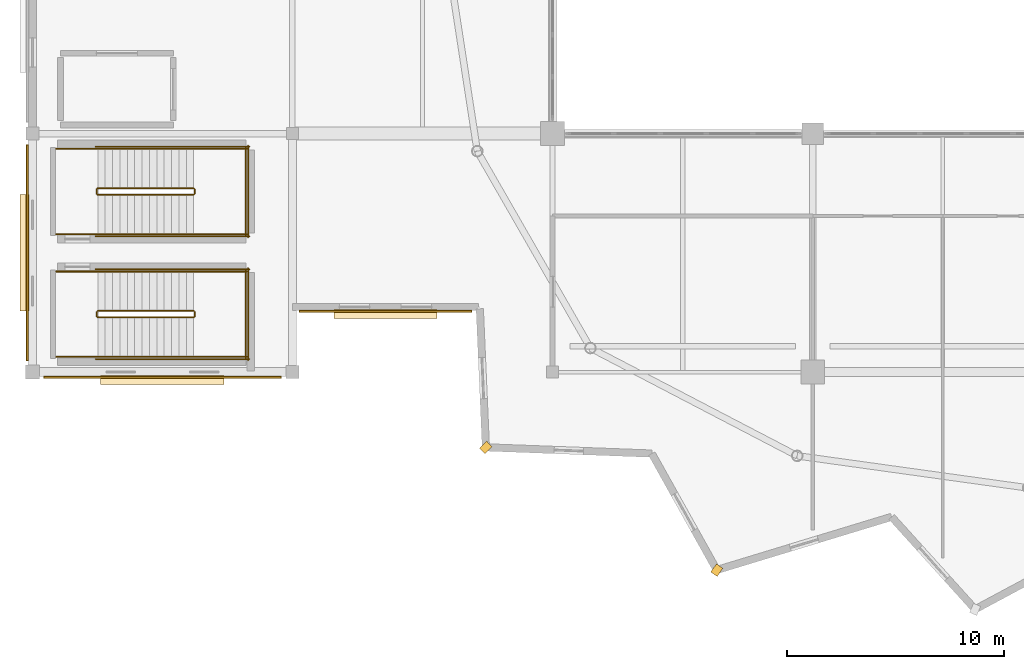
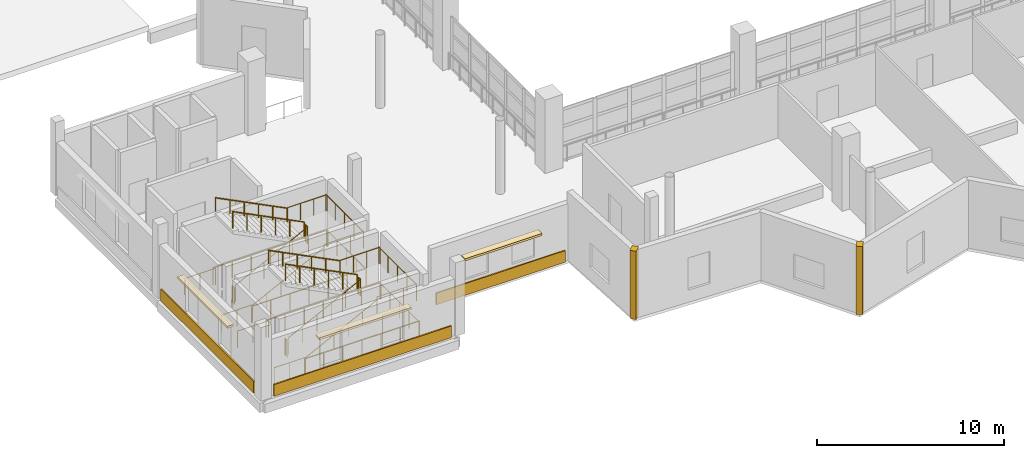
# One storey, part 46 of 53: 28 railings, 8 coverings.
"""IFC4 building model written with IfcOpenShell, lengths in metres."""

from ifc_helpers import new_model, si_unit, direction, frame, origin, origin_2d, place, context, subcontext, project, spatial, rectangle, circle, extrude, material, layer, layer_set, type_object, element, save


model = new_model("IFC4")

# Units and contexts
model_context = context("Model", 3, precision=1e-05, world=origin(), true_north=direction((0.0, 1.0)))
body_context = subcontext(model_context, "Body", "Model", "MODEL_VIEW")
ifc_project = project(units=[si_unit("LENGTHUNIT", "METRE"), si_unit("AREAUNIT", "SQUARE_METRE"), si_unit("VOLUMEUNIT", "CUBIC_METRE"), si_unit("PLANEANGLEUNIT", "RADIAN"), si_unit("MASSUNIT", "GRAM", prefix="KILO")], contexts=[model_context])

# Site, building, storey
site_placement = place(None, origin())
site = spatial("IfcSite", under=ifc_project, at=site_placement, CompositionType="ELEMENT")
building_placement = place(site_placement, origin())
building = spatial("IfcBuilding", under=site, at=building_placement, Name="Luwafu Chhajja Arena", CompositionType="ELEMENT")
storey_placement = place(building_placement, frame((0.0, 0.0, 19.5)))
storey = spatial("IfcBuildingStorey", under=building, at=storey_placement, Name="L04", CompositionType="ELEMENT", Elevation=19.5)

# Coverings
ifc_material_1 = material(Name="Red laterite sandstone cladding", Category="masonry")
ifc_layer = layer(ifc_material_1, 0.074951171875, Name="Red laterite sandstone cladding")
ifc_layer_set = layer_set([ifc_layer], Name="Red laterite sandstone cladding")
covering_type = type_object("IfcCoveringType", Name="Dressed Red-Laterite Sandstone Cladding", PredefinedType="CLADDING", material=ifc_layer_set)
for number, where, z_axis, x_axis, name in (
    (1, (54.91650390625, 7.52392578125, 0.0), (0.0, 0.0, 1.0), (-0.724206686844, -0.689582971607, 0.0), "L04 Pleated Bowl Sandstone Ridge Fin 21"),
    (2, (65.572509765625, 1.864013671875, 0.0), (0.0, 0.0, 1.0), (-0.574411104334, -0.818566969293, 0.0), "L04 Pleated Bowl Sandstone Ridge Fin 22"),
):
    element("IfcCovering", number, at=place(storey_placement, frame(where, z_axis=z_axis, x_axis=x_axis)), inside=storey, type_object=covering_type, Name=name, PredefinedType="CLADDING", context=body_context, shape_type="SweptSolid", body=[
        extrude(rectangle(XDim=0.4599609375, YDim=0.360107421875, at=origin_2d()), origin(), (0.0, 0.0, 1.0), 4.455078125),
    ])
covering_1_placement = place(storey_placement, frame((40.0, 10.76806640625, 0.0), z_axis=(0.0, 0.0, 1.0), x_axis=(1.0, 0.0, 0.0)))
element("IfcCovering", 3, at=covering_1_placement, inside=storey, type_object=covering_type, Name="L04 Red-Laterite Sandstone Plinth Cladding 104", PredefinedType="CLADDING", context=body_context, shape_type="SweptSolid", body=[
    extrude(rectangle(XDim=10.9599609375, YDim=0.0849609375, at=origin_2d()), origin(), (0.0, 0.0, 1.0), 0.760009765625),
])
covering_2_placement = place(storey_placement, frame((40.0, 10.639892578125, 2.93017578125), z_axis=(0.0, 0.0, 1.0), x_axis=(1.0, 0.0, 0.0)))
element("IfcCovering", 4, at=covering_2_placement, inside=storey, type_object=covering_type, Name="L04 Mughal Sandstone Window Chhajja Hood 0096", PredefinedType="CLADDING", context=body_context, shape_type="SweptSolid", body=[
    extrude(rectangle(XDim=5.703369140625, YDim=0.419921875, at=origin_2d()), origin(), (0.0, 0.0, 1.0), 0.139892578125),
])
covering_3_placement = place(storey_placement, frame((33.76806640625, 16.5, 0.0), z_axis=(0.0, 0.0, 1.0), x_axis=(0.0, 1.0, 0.0)))
element("IfcCovering", 5, at=covering_3_placement, inside=storey, type_object=covering_type, Name="L04 Red-Laterite Sandstone Plinth Cladding 105", PredefinedType="CLADDING", context=body_context, shape_type="SweptSolid", body=[
    extrude(rectangle(XDim=9.9599609375, YDim=0.0849609375, at=origin_2d()), origin(), (0.0, 0.0, 1.0), 0.760009765625),
])
covering_4_placement = place(storey_placement, frame((33.639892578125, 16.5, 2.93017578125), z_axis=(0.0, 0.0, 1.0), x_axis=(0.0, 1.0, 0.0)))
element("IfcCovering", 6, at=covering_4_placement, inside=storey, type_object=covering_type, Name="L04 Mughal Sandstone Window Chhajja Hood 0097", PredefinedType="CLADDING", context=body_context, shape_type="SweptSolid", body=[
    extrude(rectangle(XDim=5.3701171875, YDim=0.419921875, at=origin_2d()), origin(), (0.0, 0.0, 1.0), 0.139892578125),
])
covering_5_placement = place(storey_placement, frame((50.287109375, 13.80810546875, 0.0), z_axis=(0.0, 0.0, 1.0), x_axis=(1.0, 0.0, 0.0)))
element("IfcCovering", 7, at=covering_5_placement, inside=storey, type_object=covering_type, Name="L04 Red-Laterite Sandstone Plinth Cladding 112", PredefinedType="CLADDING", context=body_context, shape_type="SweptSolid", body=[
    extrude(rectangle(XDim=7.97412109375, YDim=0.0849609375, at=origin_2d()), origin(), (0.0, 0.0, 1.0), 0.760009765625),
])
covering_6_placement = place(storey_placement, frame((50.287109375, 13.679931640625, 2.47998046875), z_axis=(0.0, 0.0, 1.0), x_axis=(1.0, 0.0, 0.0)))
element("IfcCovering", 8, at=covering_6_placement, inside=storey, type_object=covering_type, Name="L04 Mughal Sandstone Window Chhajja Hood 0104", PredefinedType="CLADDING", context=body_context, shape_type="SweptSolid", body=[
    extrude(rectangle(XDim=4.758056640625, YDim=0.419921875, at=origin_2d()), origin(), (0.0, 0.0, 1.0), 0.139892578125),
])

# Railings
ifc_material_2 = material(Name="Stainless steel handrail", Category="steel")
railing_type_1 = type_object("IfcRailingType", Name="Stair Pitch Wall Handrail 920", PredefinedType="HANDRAIL", material=ifc_material_2)
railing_1_placement = place(storey_placement, frame((37.02001953125, 11.699951171875, 0.17138671875)))
element("IfcRailing", 9, at=railing_1_placement, inside=storey, type_object=railing_type_1, Name="L04 ST-01 stair handrail 1", PredefinedType="HANDRAIL", context=body_context, shape_type="SweptSolid", body=[
    extrude(circle(Radius=0.02392578125, at=origin_2d()), frame((0.0, 0.0, 0.8759765625), z_axis=(0.89292277971, 0.0, 0.450209850486), x_axis=(0.0, 1.0, 0.0)), (0.0, 0.0, 1.0), 4.949951171875),
    extrude(circle(Radius=0.02099609375, at=origin_2d()), origin(), (0.0, 0.0, 1.0), 0.851806640625),
    extrude(circle(Radius=0.02099609375, at=origin_2d()), frame((0.884033203125, 0.0, 0.44580078125)), (0.0, 0.0, 1.0), 0.851806640625),
    extrude(circle(Radius=0.02099609375, at=origin_2d()), frame((1.76806640625, 0.0, 0.891357421875)), (0.0, 0.0, 1.0), 0.851806640625),
    extrude(circle(Radius=0.02099609375, at=origin_2d()), frame((2.65185546875, 0.0, 1.337158203125)), (0.0, 0.0, 1.0), 0.851806640625),
    extrude(circle(Radius=0.02099609375, at=origin_2d()), frame((3.535888671875, 0.0, 1.78271484375)), (0.0, 0.0, 1.0), 0.851806640625),
    extrude(circle(Radius=0.02099609375, at=origin_2d()), frame((4.419921875, 0.0, 2.228515625)), (0.0, 0.0, 1.0), 0.851806640625),
])
railing_2_placement = place(storey_placement, frame((41.43994140625, 15.639892578125, 2.571533203125)))
element("IfcRailing", 10, at=railing_2_placement, inside=storey, type_object=railing_type_1, Name="L04 ST-01 stair handrail 2", PredefinedType="HANDRAIL", context=body_context, shape_type="SweptSolid", body=[
    extrude(circle(Radius=0.02392578125, at=origin_2d()), frame((0.0, 0.0, 0.8759765625), z_axis=(-0.89292277971, 0.0, 0.450209850486), x_axis=(0.0, -1.0, 0.0)), (0.0, 0.0, 1.0), 4.949951171875),
    extrude(circle(Radius=0.02099609375, at=origin_2d()), origin(), (0.0, 0.0, 1.0), 0.851806640625),
    extrude(circle(Radius=0.02099609375, at=origin_2d()), frame((-0.884033203125, 0.0, 0.44580078125)), (0.0, 0.0, 1.0), 0.851806640625),
    extrude(circle(Radius=0.02099609375, at=origin_2d()), frame((-1.76806640625, 0.0, 0.891357421875)), (0.0, 0.0, 1.0), 0.851806640625),
    extrude(circle(Radius=0.02099609375, at=origin_2d()), frame((-2.65185546875, 0.0, 1.337158203125)), (0.0, 0.0, 1.0), 0.851806640625),
    extrude(circle(Radius=0.02099609375, at=origin_2d()), frame((-3.535888671875, 0.0, 1.78271484375)), (0.0, 0.0, 1.0), 0.851806640625),
    extrude(circle(Radius=0.02099609375, at=origin_2d()), frame((-4.419921875, 0.0, 2.228515625)), (0.0, 0.0, 1.0), 0.851806640625),
])
railing_3_placement = place(storey_placement, frame((37.02001953125, 17.360107421875, 0.17138671875)))
element("IfcRailing", 11, at=railing_3_placement, inside=storey, type_object=railing_type_1, Name="L04 ST-02 stair handrail 1", PredefinedType="HANDRAIL", context=body_context, shape_type="SweptSolid", body=[
    extrude(circle(Radius=0.02392578125, at=origin_2d()), frame((0.0, 0.0, 0.8759765625), z_axis=(0.89292277971, 0.0, 0.450209850486), x_axis=(0.0, 1.0, 0.0)), (0.0, 0.0, 1.0), 4.949951171875),
    extrude(circle(Radius=0.02099609375, at=origin_2d()), origin(), (0.0, 0.0, 1.0), 0.851806640625),
    extrude(circle(Radius=0.02099609375, at=origin_2d()), frame((0.884033203125, 0.0, 0.44580078125)), (0.0, 0.0, 1.0), 0.851806640625),
    extrude(circle(Radius=0.02099609375, at=origin_2d()), frame((1.76806640625, 0.0, 0.891357421875)), (0.0, 0.0, 1.0), 0.851806640625),
    extrude(circle(Radius=0.02099609375, at=origin_2d()), frame((2.65185546875, 0.0, 1.337158203125)), (0.0, 0.0, 1.0), 0.851806640625),
    extrude(circle(Radius=0.02099609375, at=origin_2d()), frame((3.535888671875, 0.0, 1.78271484375)), (0.0, 0.0, 1.0), 0.851806640625),
    extrude(circle(Radius=0.02099609375, at=origin_2d()), frame((4.419921875, 0.0, 2.228515625)), (0.0, 0.0, 1.0), 0.851806640625),
])
railing_4_placement = place(storey_placement, frame((41.43994140625, 21.300048828125, 2.571533203125)))
element("IfcRailing", 12, at=railing_4_placement, inside=storey, type_object=railing_type_1, Name="L04 ST-02 stair handrail 2", PredefinedType="HANDRAIL", context=body_context, shape_type="SweptSolid", body=[
    extrude(circle(Radius=0.02392578125, at=origin_2d()), frame((0.0, 0.0, 0.8759765625), z_axis=(-0.89292277971, 0.0, 0.450209850486), x_axis=(0.0, -1.0, 0.0)), (0.0, 0.0, 1.0), 4.949951171875),
    extrude(circle(Radius=0.02099609375, at=origin_2d()), origin(), (0.0, 0.0, 1.0), 0.851806640625),
    extrude(circle(Radius=0.02099609375, at=origin_2d()), frame((-0.884033203125, 0.0, 0.44580078125)), (0.0, 0.0, 1.0), 0.851806640625),
    extrude(circle(Radius=0.02099609375, at=origin_2d()), frame((-1.76806640625, 0.0, 0.891357421875)), (0.0, 0.0, 1.0), 0.851806640625),
    extrude(circle(Radius=0.02099609375, at=origin_2d()), frame((-2.65185546875, 0.0, 1.337158203125)), (0.0, 0.0, 1.0), 0.851806640625),
    extrude(circle(Radius=0.02099609375, at=origin_2d()), frame((-3.535888671875, 0.0, 1.78271484375)), (0.0, 0.0, 1.0), 0.851806640625),
    extrude(circle(Radius=0.02099609375, at=origin_2d()), frame((-4.419921875, 0.0, 2.228515625)), (0.0, 0.0, 1.0), 0.851806640625),
])
ifc_material_3 = material(Name="Stainless steel balustrade", Category="steel")
railing_type_2 = type_object("IfcRailingType", Name="Stair and Terrace Guard Balustrade 1100", PredefinedType="BALUSTRADE", material=ifc_material_3)
railing_5_placement = place(storey_placement, frame((37.02001953125, 13.52001953125, 0.17138671875)))
element("IfcRailing", 13, at=railing_5_placement, inside=storey, type_object=railing_type_2, Name="L04 ST-01 stair guard 1", PredefinedType="BALUSTRADE", context=body_context, shape_type="SweptSolid", body=[
    extrude(circle(Radius=0.02392578125, at=origin_2d()), frame((0.0, 0.0, 1.076171875), z_axis=(0.89292277971, 0.0, 0.450209850486), x_axis=(0.0, 1.0, 0.0)), (0.0, 0.0, 1.0), 4.949951171875),
    extrude(circle(Radius=0.02099609375, at=origin_2d()), origin(), (0.0, 0.0, 1.0), 1.052001953125),
    extrude(circle(Radius=0.02099609375, at=origin_2d()), frame((0.884033203125, 0.0, 0.44580078125)), (0.0, 0.0, 1.0), 1.052001953125),
    extrude(circle(Radius=0.02099609375, at=origin_2d()), frame((1.76806640625, 0.0, 0.891357421875)), (0.0, 0.0, 1.0), 1.052001953125),
    extrude(circle(Radius=0.02099609375, at=origin_2d()), frame((2.65185546875, 0.0, 1.337158203125)), (0.0, 0.0, 1.0), 1.052001953125),
    extrude(circle(Radius=0.02099609375, at=origin_2d()), frame((3.535888671875, 0.0, 1.78271484375)), (0.0, 0.0, 1.0), 1.052001953125),
    extrude(circle(Radius=0.02099609375, at=origin_2d()), frame((4.419921875, 0.0, 2.228515625)), (0.0, 0.0, 1.0), 1.052001953125),
])
railing_6_placement = place(storey_placement, frame((41.489990234375, 13.570068359375, 2.39990234375)))
element("IfcRailing", 14, at=railing_6_placement, inside=storey, type_object=railing_type_2, Name="L04 ST-01 stair guard 2", PredefinedType="BALUSTRADE", context=body_context, shape_type="SweptSolid", body=[
    extrude(circle(Radius=0.02392578125, at=origin_2d()), frame((0.0, 0.0, 1.076171875), z_axis=(0.0, 1.0, 0.0), x_axis=(-1.0, 0.0, 0.0)), (0.0, 0.0, 1.0), 0.199951171875),
    extrude(circle(Radius=0.02099609375, at=origin_2d()), origin(), (0.0, 0.0, 1.0), 1.052001953125),
    extrude(circle(Radius=0.02099609375, at=origin_2d()), frame((0.0, 0.199951171875, 0.0)), (0.0, 0.0, 1.0), 1.052001953125),
])
for number, where, name in (
    (15, (41.43994140625, 11.699951171875, 2.39990234375), "L04 ST-01 stair guard 3"),
    (16, (41.43994140625, 15.639892578125, 2.39990234375), "L04 ST-01 stair guard 4"),
):
    element("IfcRailing", number, at=place(storey_placement, frame(where)), inside=storey, type_object=railing_type_2, Name=name, PredefinedType="BALUSTRADE", context=body_context, shape_type="SweptSolid", body=[
        extrude(circle(Radius=0.02392578125, at=origin_2d()), frame((0.0, 0.0, 1.076171875), z_axis=(1.0, 0.0, 0.0), x_axis=(0.0, 1.0, 0.0)), (0.0, 0.0, 1.0), 2.4599609375),
        extrude(circle(Radius=0.02099609375, at=origin_2d()), origin(), (0.0, 0.0, 1.0), 1.052001953125),
        extrude(circle(Radius=0.02099609375, at=origin_2d()), frame((0.820068359375, 0.0, 0.0)), (0.0, 0.0, 1.0), 1.052001953125),
        extrude(circle(Radius=0.02099609375, at=origin_2d()), frame((1.639892578125, 0.0, 0.0)), (0.0, 0.0, 1.0), 1.052001953125),
        extrude(circle(Radius=0.02099609375, at=origin_2d()), frame((2.4599609375, 0.0, 0.0)), (0.0, 0.0, 1.0), 1.052001953125),
    ])
railing_7_placement = place(storey_placement, frame((43.85009765625, 11.64990234375, 2.39990234375)))
element("IfcRailing", 17, at=railing_7_placement, inside=storey, type_object=railing_type_2, Name="L04 ST-01 stair guard 5", PredefinedType="BALUSTRADE", context=body_context, shape_type="SweptSolid", body=[
    extrude(circle(Radius=0.02392578125, at=origin_2d()), frame((0.0, 0.0, 1.076171875), z_axis=(0.0, 1.0, 0.0), x_axis=(-1.0, 0.0, 0.0)), (0.0, 0.0, 1.0), 4.0400390625),
    extrude(circle(Radius=0.02099609375, at=origin_2d()), origin(), (0.0, 0.0, 1.0), 1.052001953125),
    extrude(circle(Radius=0.02099609375, at=origin_2d()), frame((0.0, 1.010009765625, 0.0)), (0.0, 0.0, 1.0), 1.052001953125),
    extrude(circle(Radius=0.02099609375, at=origin_2d()), frame((0.0, 2.02001953125, 0.0)), (0.0, 0.0, 1.0), 1.052001953125),
    extrude(circle(Radius=0.02099609375, at=origin_2d()), frame((0.0, 3.030029296875, 0.0)), (0.0, 0.0, 1.0), 1.052001953125),
    extrude(circle(Radius=0.02099609375, at=origin_2d()), frame((0.0, 4.0400390625, 0.0)), (0.0, 0.0, 1.0), 1.052001953125),
])
railing_8_placement = place(storey_placement, frame((41.43994140625, 13.820068359375, 2.571533203125)))
element("IfcRailing", 18, at=railing_8_placement, inside=storey, type_object=railing_type_2, Name="L04 ST-01 stair guard 6", PredefinedType="BALUSTRADE", context=body_context, shape_type="SweptSolid", body=[
    extrude(circle(Radius=0.02392578125, at=origin_2d()), frame((0.0, 0.0, 1.076171875), z_axis=(-0.89292277971, 0.0, 0.450209850486), x_axis=(0.0, -1.0, 0.0)), (0.0, 0.0, 1.0), 4.949951171875),
    extrude(circle(Radius=0.02099609375, at=origin_2d()), origin(), (0.0, 0.0, 1.0), 1.052001953125),
    extrude(circle(Radius=0.02099609375, at=origin_2d()), frame((-0.884033203125, 0.0, 0.44580078125)), (0.0, 0.0, 1.0), 1.052001953125),
    extrude(circle(Radius=0.02099609375, at=origin_2d()), frame((-1.76806640625, 0.0, 0.891357421875)), (0.0, 0.0, 1.0), 1.052001953125),
    extrude(circle(Radius=0.02099609375, at=origin_2d()), frame((-2.65185546875, 0.0, 1.337158203125)), (0.0, 0.0, 1.0), 1.052001953125),
    extrude(circle(Radius=0.02099609375, at=origin_2d()), frame((-3.535888671875, 0.0, 1.78271484375)), (0.0, 0.0, 1.0), 1.052001953125),
    extrude(circle(Radius=0.02099609375, at=origin_2d()), frame((-4.419921875, 0.0, 2.228515625)), (0.0, 0.0, 1.0), 1.052001953125),
])
railing_9_placement = place(storey_placement, frame((36.969970703125, 13.570068359375, 0.0)))
element("IfcRailing", 19, at=railing_9_placement, inside=storey, type_object=railing_type_2, Name="L04 ST-01 stair guard 7", PredefinedType="BALUSTRADE", context=body_context, shape_type="SweptSolid", body=[
    extrude(circle(Radius=0.02392578125, at=origin_2d()), frame((0.0, 0.0, 1.076171875), z_axis=(0.0, 1.0, 0.0), x_axis=(-1.0, 0.0, 0.0)), (0.0, 0.0, 1.0), 0.199951171875),
    extrude(circle(Radius=0.02099609375, at=origin_2d()), origin(), (0.0, 0.0, 1.0), 1.052001953125),
    extrude(circle(Radius=0.02099609375, at=origin_2d()), frame((0.0, 0.199951171875, 0.0)), (0.0, 0.0, 1.0), 1.052001953125),
])
for number, where, name in (
    (20, (35.10009765625, 11.699951171875, 0.0), "L04 ST-01 stair guard 8"),
    (21, (35.10009765625, 15.639892578125, 0.0), "L04 ST-01 stair guard 9"),
):
    element("IfcRailing", number, at=place(storey_placement, frame(where)), inside=storey, type_object=railing_type_2, Name=name, PredefinedType="BALUSTRADE", context=body_context, shape_type="SweptSolid", body=[
        extrude(circle(Radius=0.02392578125, at=origin_2d()), frame((0.0, 0.0, 1.076171875), z_axis=(1.0, 0.0, 0.0), x_axis=(0.0, 1.0, 0.0)), (0.0, 0.0, 1.0), 1.919921875),
        extrude(circle(Radius=0.02099609375, at=origin_2d()), origin(), (0.0, 0.0, 1.0), 1.052001953125),
        extrude(circle(Radius=0.02099609375, at=origin_2d()), frame((0.9599609375, 0.0, 0.0)), (0.0, 0.0, 1.0), 1.052001953125),
        extrude(circle(Radius=0.02099609375, at=origin_2d()), frame((1.919921875, 0.0, 0.0)), (0.0, 0.0, 1.0), 1.052001953125),
    ])
for number, where, name in (
    (22, (36.919921875, 11.60009765625, 0.0), "L04 ST-01 stair guard 10"),
    (23, (36.919921875, 15.739990234375, 0.0), "L04 ST-01 stair guard 11"),
):
    element("IfcRailing", number, at=place(storey_placement, frame(where)), inside=storey, type_object=railing_type_2, Name=name, PredefinedType="BALUSTRADE", context=body_context, shape_type="SweptSolid", body=[
        extrude(circle(Radius=0.02392578125, at=origin_2d()), frame((0.0, 0.0, 1.076171875), z_axis=(1.0, 0.0, 0.0), x_axis=(0.0, 1.0, 0.0)), (0.0, 0.0, 1.0), 7.080078125),
        extrude(circle(Radius=0.02099609375, at=origin_2d()), origin(), (0.0, 0.0, 1.0), 1.052001953125),
        extrude(circle(Radius=0.02099609375, at=origin_2d()), frame((1.179931640625, 0.0, 0.0)), (0.0, 0.0, 1.0), 1.052001953125),
        extrude(circle(Radius=0.02099609375, at=origin_2d()), frame((2.360107421875, 0.0, 0.0)), (0.0, 0.0, 1.0), 1.052001953125),
        extrude(circle(Radius=0.02099609375, at=origin_2d()), frame((3.5400390625, 0.0, 0.0)), (0.0, 0.0, 1.0), 1.052001953125),
        extrude(circle(Radius=0.02099609375, at=origin_2d()), frame((4.719970703125, 0.0, 0.0)), (0.0, 0.0, 1.0), 1.052001953125),
        extrude(circle(Radius=0.02099609375, at=origin_2d()), frame((5.900146484375, 0.0, 0.0)), (0.0, 0.0, 1.0), 1.052001953125),
        extrude(circle(Radius=0.02099609375, at=origin_2d()), frame((7.080078125, 0.0, 0.0)), (0.0, 0.0, 1.0), 1.052001953125),
    ])
railing_10_placement = place(storey_placement, frame((43.949951171875, 11.550048828125, 0.0)))
element("IfcRailing", 24, at=railing_10_placement, inside=storey, type_object=railing_type_2, Name="L04 ST-01 stair guard 12", PredefinedType="BALUSTRADE", context=body_context, shape_type="SweptSolid", body=[
    extrude(circle(Radius=0.02392578125, at=origin_2d()), frame((0.0, 0.0, 1.076171875), z_axis=(0.0, 1.0, 0.0), x_axis=(-1.0, 0.0, 0.0)), (0.0, 0.0, 1.0), 4.239990234375),
    extrude(circle(Radius=0.02099609375, at=origin_2d()), origin(), (0.0, 0.0, 1.0), 1.052001953125),
    extrude(circle(Radius=0.02099609375, at=origin_2d()), frame((0.0, 1.06005859375, 0.0)), (0.0, 0.0, 1.0), 1.052001953125),
    extrude(circle(Radius=0.02099609375, at=origin_2d()), frame((0.0, 2.1201171875, 0.0)), (0.0, 0.0, 1.0), 1.052001953125),
    extrude(circle(Radius=0.02099609375, at=origin_2d()), frame((0.0, 3.179931640625, 0.0)), (0.0, 0.0, 1.0), 1.052001953125),
    extrude(circle(Radius=0.02099609375, at=origin_2d()), frame((0.0, 4.239990234375, 0.0)), (0.0, 0.0, 1.0), 1.052001953125),
])
railing_11_placement = place(storey_placement, frame((37.02001953125, 19.179931640625, 0.17138671875)))
element("IfcRailing", 25, at=railing_11_placement, inside=storey, type_object=railing_type_2, Name="L04 ST-02 stair guard 1", PredefinedType="BALUSTRADE", context=body_context, shape_type="SweptSolid", body=[
    extrude(circle(Radius=0.02392578125, at=origin_2d()), frame((0.0, 0.0, 1.076171875), z_axis=(0.89292277971, 0.0, 0.450209850486), x_axis=(0.0, 1.0, 0.0)), (0.0, 0.0, 1.0), 4.949951171875),
    extrude(circle(Radius=0.02099609375, at=origin_2d()), origin(), (0.0, 0.0, 1.0), 1.052001953125),
    extrude(circle(Radius=0.02099609375, at=origin_2d()), frame((0.884033203125, 0.0, 0.44580078125)), (0.0, 0.0, 1.0), 1.052001953125),
    extrude(circle(Radius=0.02099609375, at=origin_2d()), frame((1.76806640625, 0.0, 0.891357421875)), (0.0, 0.0, 1.0), 1.052001953125),
    extrude(circle(Radius=0.02099609375, at=origin_2d()), frame((2.65185546875, 0.0, 1.337158203125)), (0.0, 0.0, 1.0), 1.052001953125),
    extrude(circle(Radius=0.02099609375, at=origin_2d()), frame((3.535888671875, 0.0, 1.78271484375)), (0.0, 0.0, 1.0), 1.052001953125),
    extrude(circle(Radius=0.02099609375, at=origin_2d()), frame((4.419921875, 0.0, 2.228515625)), (0.0, 0.0, 1.0), 1.052001953125),
])
railing_12_placement = place(storey_placement, frame((41.489990234375, 19.22998046875, 2.39990234375)))
element("IfcRailing", 26, at=railing_12_placement, inside=storey, type_object=railing_type_2, Name="L04 ST-02 stair guard 2", PredefinedType="BALUSTRADE", context=body_context, shape_type="SweptSolid", body=[
    extrude(circle(Radius=0.02392578125, at=origin_2d()), frame((0.0, 0.0, 1.076171875), z_axis=(0.0, 1.0, 0.0), x_axis=(-1.0, 0.0, 0.0)), (0.0, 0.0, 1.0), 0.199951171875),
    extrude(circle(Radius=0.02099609375, at=origin_2d()), origin(), (0.0, 0.0, 1.0), 1.052001953125),
    extrude(circle(Radius=0.02099609375, at=origin_2d()), frame((0.0, 0.199951171875, 0.0)), (0.0, 0.0, 1.0), 1.052001953125),
])
for number, where, name in (
    (27, (41.43994140625, 17.360107421875, 2.39990234375), "L04 ST-02 stair guard 3"),
    (28, (41.43994140625, 21.300048828125, 2.39990234375), "L04 ST-02 stair guard 4"),
):
    element("IfcRailing", number, at=place(storey_placement, frame(where)), inside=storey, type_object=railing_type_2, Name=name, PredefinedType="BALUSTRADE", context=body_context, shape_type="SweptSolid", body=[
        extrude(circle(Radius=0.02392578125, at=origin_2d()), frame((0.0, 0.0, 1.076171875), z_axis=(1.0, 0.0, 0.0), x_axis=(0.0, 1.0, 0.0)), (0.0, 0.0, 1.0), 2.4599609375),
        extrude(circle(Radius=0.02099609375, at=origin_2d()), origin(), (0.0, 0.0, 1.0), 1.052001953125),
        extrude(circle(Radius=0.02099609375, at=origin_2d()), frame((0.820068359375, 0.0, 0.0)), (0.0, 0.0, 1.0), 1.052001953125),
        extrude(circle(Radius=0.02099609375, at=origin_2d()), frame((1.639892578125, 0.0, 0.0)), (0.0, 0.0, 1.0), 1.052001953125),
        extrude(circle(Radius=0.02099609375, at=origin_2d()), frame((2.4599609375, 0.0, 0.0)), (0.0, 0.0, 1.0), 1.052001953125),
    ])
railing_13_placement = place(storey_placement, frame((43.85009765625, 17.31005859375, 2.39990234375)))
element("IfcRailing", 29, at=railing_13_placement, inside=storey, type_object=railing_type_2, Name="L04 ST-02 stair guard 5", PredefinedType="BALUSTRADE", context=body_context, shape_type="SweptSolid", body=[
    extrude(circle(Radius=0.02392578125, at=origin_2d()), frame((0.0, 0.0, 1.076171875), z_axis=(0.0, 1.0, 0.0), x_axis=(-1.0, 0.0, 0.0)), (0.0, 0.0, 1.0), 4.0400390625),
    extrude(circle(Radius=0.02099609375, at=origin_2d()), origin(), (0.0, 0.0, 1.0), 1.052001953125),
    extrude(circle(Radius=0.02099609375, at=origin_2d()), frame((0.0, 1.010009765625, 0.0)), (0.0, 0.0, 1.0), 1.052001953125),
    extrude(circle(Radius=0.02099609375, at=origin_2d()), frame((0.0, 2.02001953125, 0.0)), (0.0, 0.0, 1.0), 1.052001953125),
    extrude(circle(Radius=0.02099609375, at=origin_2d()), frame((0.0, 3.030029296875, 0.0)), (0.0, 0.0, 1.0), 1.052001953125),
    extrude(circle(Radius=0.02099609375, at=origin_2d()), frame((0.0, 4.0400390625, 0.0)), (0.0, 0.0, 1.0), 1.052001953125),
])
railing_14_placement = place(storey_placement, frame((41.43994140625, 19.47998046875, 2.571533203125)))
element("IfcRailing", 30, at=railing_14_placement, inside=storey, type_object=railing_type_2, Name="L04 ST-02 stair guard 6", PredefinedType="BALUSTRADE", context=body_context, shape_type="SweptSolid", body=[
    extrude(circle(Radius=0.02392578125, at=origin_2d()), frame((0.0, 0.0, 1.076171875), z_axis=(-0.89292277971, 0.0, 0.450209850486), x_axis=(0.0, -1.0, 0.0)), (0.0, 0.0, 1.0), 4.949951171875),
    extrude(circle(Radius=0.02099609375, at=origin_2d()), origin(), (0.0, 0.0, 1.0), 1.052001953125),
    extrude(circle(Radius=0.02099609375, at=origin_2d()), frame((-0.884033203125, 0.0, 0.44580078125)), (0.0, 0.0, 1.0), 1.052001953125),
    extrude(circle(Radius=0.02099609375, at=origin_2d()), frame((-1.76806640625, 0.0, 0.891357421875)), (0.0, 0.0, 1.0), 1.052001953125),
    extrude(circle(Radius=0.02099609375, at=origin_2d()), frame((-2.65185546875, 0.0, 1.337158203125)), (0.0, 0.0, 1.0), 1.052001953125),
    extrude(circle(Radius=0.02099609375, at=origin_2d()), frame((-3.535888671875, 0.0, 1.78271484375)), (0.0, 0.0, 1.0), 1.052001953125),
    extrude(circle(Radius=0.02099609375, at=origin_2d()), frame((-4.419921875, 0.0, 2.228515625)), (0.0, 0.0, 1.0), 1.052001953125),
])
railing_15_placement = place(storey_placement, frame((36.969970703125, 19.22998046875, 0.0)))
element("IfcRailing", 31, at=railing_15_placement, inside=storey, type_object=railing_type_2, Name="L04 ST-02 stair guard 7", PredefinedType="BALUSTRADE", context=body_context, shape_type="SweptSolid", body=[
    extrude(circle(Radius=0.02392578125, at=origin_2d()), frame((0.0, 0.0, 1.076171875), z_axis=(0.0, 1.0, 0.0), x_axis=(-1.0, 0.0, 0.0)), (0.0, 0.0, 1.0), 0.199951171875),
    extrude(circle(Radius=0.02099609375, at=origin_2d()), origin(), (0.0, 0.0, 1.0), 1.052001953125),
    extrude(circle(Radius=0.02099609375, at=origin_2d()), frame((0.0, 0.199951171875, 0.0)), (0.0, 0.0, 1.0), 1.052001953125),
])
for number, where, name in (
    (32, (35.10009765625, 17.360107421875, 0.0), "L04 ST-02 stair guard 8"),
    (33, (35.10009765625, 21.300048828125, 0.0), "L04 ST-02 stair guard 9"),
):
    element("IfcRailing", number, at=place(storey_placement, frame(where)), inside=storey, type_object=railing_type_2, Name=name, PredefinedType="BALUSTRADE", context=body_context, shape_type="SweptSolid", body=[
        extrude(circle(Radius=0.02392578125, at=origin_2d()), frame((0.0, 0.0, 1.076171875), z_axis=(1.0, 0.0, 0.0), x_axis=(0.0, 1.0, 0.0)), (0.0, 0.0, 1.0), 1.919921875),
        extrude(circle(Radius=0.02099609375, at=origin_2d()), origin(), (0.0, 0.0, 1.0), 1.052001953125),
        extrude(circle(Radius=0.02099609375, at=origin_2d()), frame((0.9599609375, 0.0, 0.0)), (0.0, 0.0, 1.0), 1.052001953125),
        extrude(circle(Radius=0.02099609375, at=origin_2d()), frame((1.919921875, 0.0, 0.0)), (0.0, 0.0, 1.0), 1.052001953125),
    ])
for number, where, name in (
    (34, (36.919921875, 17.260009765625, 0.0), "L04 ST-02 stair guard 10"),
    (35, (36.919921875, 21.39990234375, 0.0), "L04 ST-02 stair guard 11"),
):
    element("IfcRailing", number, at=place(storey_placement, frame(where)), inside=storey, type_object=railing_type_2, Name=name, PredefinedType="BALUSTRADE", context=body_context, shape_type="SweptSolid", body=[
        extrude(circle(Radius=0.02392578125, at=origin_2d()), frame((0.0, 0.0, 1.076171875), z_axis=(1.0, 0.0, 0.0), x_axis=(0.0, 1.0, 0.0)), (0.0, 0.0, 1.0), 7.080078125),
        extrude(circle(Radius=0.02099609375, at=origin_2d()), origin(), (0.0, 0.0, 1.0), 1.052001953125),
        extrude(circle(Radius=0.02099609375, at=origin_2d()), frame((1.179931640625, 0.0, 0.0)), (0.0, 0.0, 1.0), 1.052001953125),
        extrude(circle(Radius=0.02099609375, at=origin_2d()), frame((2.360107421875, 0.0, 0.0)), (0.0, 0.0, 1.0), 1.052001953125),
        extrude(circle(Radius=0.02099609375, at=origin_2d()), frame((3.5400390625, 0.0, 0.0)), (0.0, 0.0, 1.0), 1.052001953125),
        extrude(circle(Radius=0.02099609375, at=origin_2d()), frame((4.719970703125, 0.0, 0.0)), (0.0, 0.0, 1.0), 1.052001953125),
        extrude(circle(Radius=0.02099609375, at=origin_2d()), frame((5.900146484375, 0.0, 0.0)), (0.0, 0.0, 1.0), 1.052001953125),
        extrude(circle(Radius=0.02099609375, at=origin_2d()), frame((7.080078125, 0.0, 0.0)), (0.0, 0.0, 1.0), 1.052001953125),
    ])
railing_16_placement = place(storey_placement, frame((43.949951171875, 17.2099609375, 0.0)))
element("IfcRailing", 36, at=railing_16_placement, inside=storey, type_object=railing_type_2, Name="L04 ST-02 stair guard 12", PredefinedType="BALUSTRADE", context=body_context, shape_type="SweptSolid", body=[
    extrude(circle(Radius=0.02392578125, at=origin_2d()), frame((0.0, 0.0, 1.076171875), z_axis=(0.0, 1.0, 0.0), x_axis=(-1.0, 0.0, 0.0)), (0.0, 0.0, 1.0), 4.239990234375),
    extrude(circle(Radius=0.02099609375, at=origin_2d()), origin(), (0.0, 0.0, 1.0), 1.052001953125),
    extrude(circle(Radius=0.02099609375, at=origin_2d()), frame((0.0, 1.06005859375, 0.0)), (0.0, 0.0, 1.0), 1.052001953125),
    extrude(circle(Radius=0.02099609375, at=origin_2d()), frame((0.0, 2.1201171875, 0.0)), (0.0, 0.0, 1.0), 1.052001953125),
    extrude(circle(Radius=0.02099609375, at=origin_2d()), frame((0.0, 3.179931640625, 0.0)), (0.0, 0.0, 1.0), 1.052001953125),
    extrude(circle(Radius=0.02099609375, at=origin_2d()), frame((0.0, 4.239990234375, 0.0)), (0.0, 0.0, 1.0), 1.052001953125),
])

save(model, "model.ifc")
